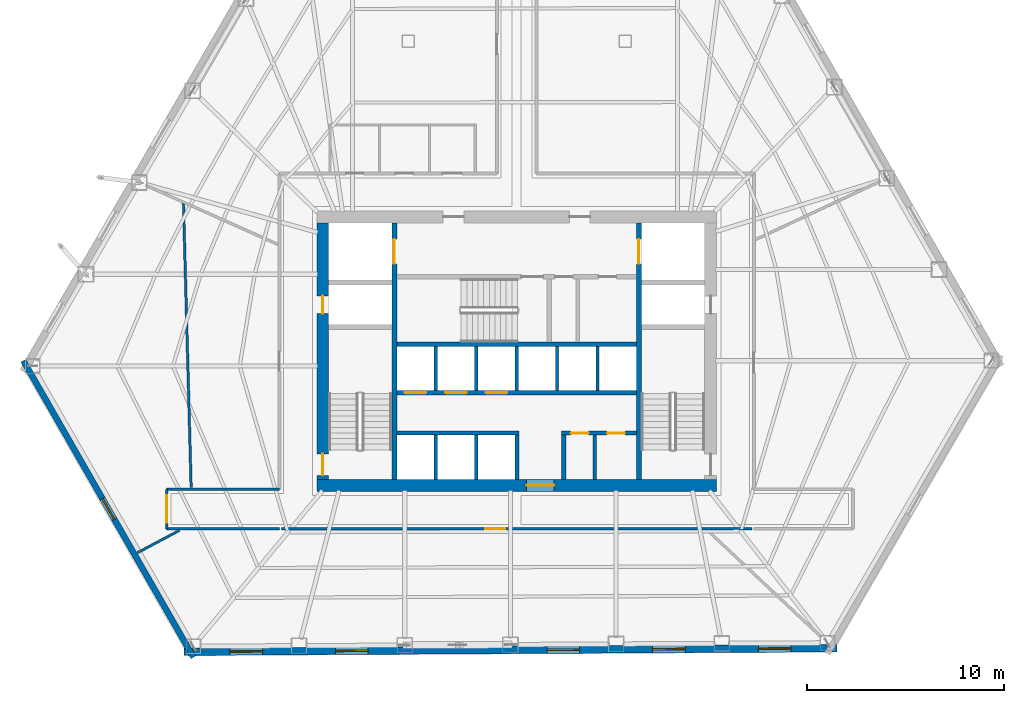
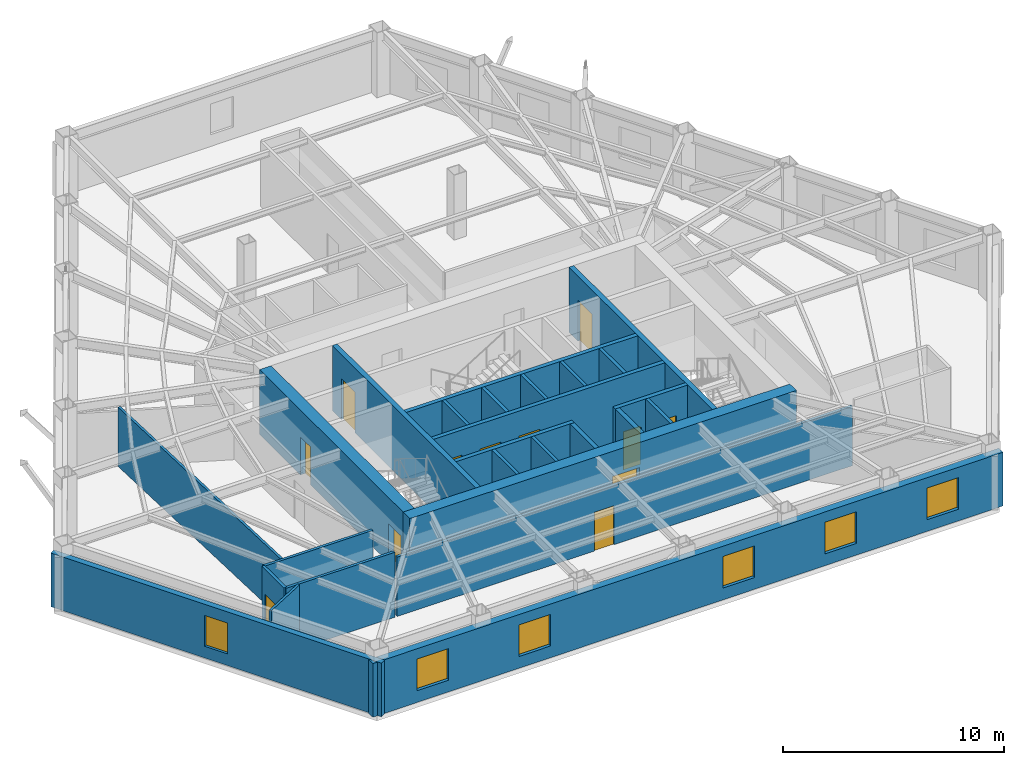
# One storey, part 8 of 12: 26 walls, 12 doors, 6 windows, 18 openings.
"""IFC4 building model written with IfcOpenShell, lengths in metres."""

from ifc_helpers import new_model, si_unit, direction, frame, frame_2d, origin, place, context, subcontext, project, spatial, rectangle, extrude, material, layer, layer_set, type_object, element, fill, save


model = new_model("IFC4")

# Units and contexts
model_context = context("Model", 3, precision=1e-05, world=origin(), true_north=direction((0.0, 1.0)))
body_context = subcontext(model_context, "Body", "Model", "MODEL_VIEW")
ifc_project = project(units=[si_unit("LENGTHUNIT", "METRE"), si_unit("AREAUNIT", "SQUARE_METRE"), si_unit("VOLUMEUNIT", "CUBIC_METRE"), si_unit("PLANEANGLEUNIT", "RADIAN"), si_unit("MASSUNIT", "GRAM", prefix="KILO")], contexts=[model_context])

# Site, building, storey
site_placement = place(None, origin())
site = spatial("IfcSite", under=ifc_project, at=site_placement, CompositionType="ELEMENT")
building_placement = place(site_placement, origin())
building = spatial("IfcBuilding", under=site, at=building_placement, Name="Kavelnor Concourse Tower", CompositionType="ELEMENT")
storey_placement = place(building_placement, frame((0.0, 0.0, 6.0)))
storey = spatial("IfcBuildingStorey", under=building, at=storey_placement, Name="L01", CompositionType="ELEMENT", Elevation=6.0)

# Wall, opening, door
ifc_material_1 = material(Name="Concrete C60/75", Category="concrete")
ifc_layer_1 = layer(ifc_material_1, 0.60009765625, Name="Concrete C60/75")
ifc_layer_set_1 = layer_set([ifc_layer_1], Name="Concrete C60/75")
wall_type_1 = type_object("IfcWallType", Name="WL-CORE-Z1-600", PredefinedType="SOLIDWALL", material=ifc_layer_set_1)
wall_1_placement = place(storey_placement, frame((27.8798828125, 9.300048828125, 0.0), z_axis=(0.0, 0.0, 1.0), x_axis=(1.0, 0.0, 0.0)))
wall_1 = element("IfcWall", 1, at=wall_1_placement, inside=storey, type_object=wall_type_1, Name="L01 Central Core South Shear Wall", PredefinedType="SOLIDWALL", context=body_context, shape_type="SweptSolid", body=[
    extrude(rectangle(XDim=20.240234375, YDim=0.60009765625, at=frame_2d((10.1201171875, 0.0))), origin(), (0.0, 0.0, 1.0), 3.590087890625),
])
opening_1_placement = place(wall_1_placement, frame((10.6201171875, 0.0, 0.0)))
opening_1 = element("IfcOpeningElement", 2, at=opening_1_placement, cuts=wall_1, Name="Opening SD-140", PredefinedType="OPENING", context=body_context, shape_type="SweptSolid", body=[
    extrude(rectangle(XDim=1.39990234375, YDim=2.199951171875, at=frame_2d((0.699951171875, 1.10009765625))), frame((0.0, 0.31005859375, 0.0), z_axis=(0.0, -1.0, 0.0), x_axis=(1.0, 0.0, 0.0)), (0.0, 0.0, 1.0), 0.6201171875),
])
ifc_material_2 = material(Name="Solid-core hardwood timber", Category="wood")
door_type_1 = type_object("IfcDoorType", Name="DR-SUITE-ENTRY-1400", OperationType="NOTDEFINED", PredefinedType="DOOR", material=ifc_material_2)
door_1_placement = place(opening_1_placement, origin())
door_1 = element("IfcDoor", 3, at=door_1_placement, inside=storey, type_object=door_type_1, Name="L01 Passenger Lift Lobby Entry Door", OperationType="SINGLE_SWING_RIGHT", OverallHeight=2.199951171875, OverallWidth=1.39990234375, PredefinedType="DOOR", context=body_context, shape_type="SweptSolid", body=[
    extrude(rectangle(XDim=1.39990234375, YDim=2.199951171875, at=frame_2d((0.699951171875, 1.10009765625))), frame((0.0, 0.02490234375, 0.0), z_axis=(0.0, -1.0, 0.0), x_axis=(1.0, 0.0, 0.0)), (0.0, 0.0, 1.0), 0.050048828125),
])
fill(opening_1, door_1)

# Wall, openings, doors
wall_2_placement = place(storey_placement, frame((28.179931640625, 9.60009765625, 0.0), z_axis=(0.0, 0.0, 1.0), x_axis=(0.0, 1.0, 0.0)))
wall_2 = element("IfcWall", 4, at=wall_2_placement, inside=storey, type_object=wall_type_1, Name="L01 Central Core West Shear Wall", PredefinedType="SOLIDWALL", context=body_context, shape_type="SweptSolid", body=[
    extrude(rectangle(XDim=13.0, YDim=0.60009765625, at=frame_2d((6.5, 0.0))), origin(), (0.0, 0.0, 1.0), 3.590087890625),
])
opening_2_placement = place(wall_2_placement, frame((0.199951171875, 0.0, 0.0)))
opening_2 = element("IfcOpeningElement", 5, at=opening_2_placement, cuts=wall_2, Name="Opening FD-110", PredefinedType="OPENING", context=body_context, shape_type="SweptSolid", body=[
    extrude(rectangle(XDim=1.10009765625, YDim=2.14990234375, at=frame_2d((0.550048828125, 1.074951171875))), frame((0.0, 0.31005859375, 0.0), z_axis=(0.0, -1.0, 0.0), x_axis=(1.0, 0.0, 0.0)), (0.0, 0.0, 1.0), 0.6201171875),
])
opening_3_placement = place(wall_2_placement, frame((8.39990234375, 0.0, 0.0)))
opening_3 = element("IfcOpeningElement", 6, at=opening_3_placement, cuts=wall_2, Name="Opening FD-090", PredefinedType="OPENING", context=body_context, shape_type="SweptSolid", body=[
    extrude(rectangle(XDim=0.89990234375, YDim=2.10009765625, at=frame_2d((0.449951171875, 1.050048828125))), frame((0.0, 0.31005859375, 0.0), z_axis=(0.0, -1.0, 0.0), x_axis=(1.0, 0.0, 0.0)), (0.0, 0.0, 1.0), 0.6201171875),
])
ifc_material_3 = material(Name="Steel Grade 350", Category="steel")
door_type_2 = type_object("IfcDoorType", Name="DR-RISER-FIRE-900", OperationType="NOTDEFINED", PredefinedType="DOOR", material=ifc_material_3)
door_2_placement = place(opening_3_placement, origin())
door_2 = element("IfcDoor", 7, at=door_2_placement, inside=storey, type_object=door_type_2, Name="L01 West Riser Access Door", OperationType="SINGLE_SWING_RIGHT", OverallHeight=2.10009765625, OverallWidth=0.89990234375, PredefinedType="DOOR", context=body_context, shape_type="SweptSolid", body=[
    extrude(rectangle(XDim=0.89990234375, YDim=2.10009765625, at=frame_2d((0.449951171875, 1.050048828125))), frame((0.0, 0.02490234375, 0.0), z_axis=(0.0, -1.0, 0.0), x_axis=(1.0, 0.0, 0.0)), (0.0, 0.0, 1.0), 0.050048828125),
])
fill(opening_3, door_2)
door_type_3 = type_object("IfcDoorType", Name="DR-STAIR-FIRE-1100", OperationType="NOTDEFINED", PredefinedType="DOOR", material=ifc_material_3)
door_3_placement = place(opening_2_placement, origin())
door_3 = element("IfcDoor", 8, at=door_3_placement, inside=storey, type_object=door_type_3, Name="L01 Stair ST1 Fire Door", OperationType="SINGLE_SWING_LEFT", OverallHeight=2.14990234375, OverallWidth=1.10009765625, PredefinedType="DOOR", context=body_context, shape_type="SweptSolid", body=[
    extrude(rectangle(XDim=1.10009765625, YDim=2.14990234375, at=frame_2d((0.550048828125, 1.074951171875))), frame((0.0, 0.02490234375, 0.0), z_axis=(0.0, -1.0, 0.0), x_axis=(1.0, 0.0, 0.0)), (0.0, 0.0, 1.0), 0.050048828125),
])
fill(opening_2, door_3)

# Wall, opening, window
ifc_material_4 = material(Name="Buff ironspot clay face brick masonry", Category="masonry")
ifc_layer_2 = layer(ifc_material_4, 0.300048828125, Name="Buff ironspot clay face brick masonry")
ifc_layer_set_2 = layer_set([ifc_layer_2], Name="Buff ironspot clay face brick masonry")
wall_type_2 = type_object("IfcWallType", Name="WL-EXT-BUFF-BRICK-FOLD-300", PredefinedType="STANDARD", material=ifc_layer_set_2)
wall_3_placement = place(storey_placement, frame((21.629150390625, 0.591796875, 0.0), z_axis=(0.0, 0.0, 1.0), x_axis=(-0.497614882017, 0.867398080004, 0.0)))
wall_3 = element("IfcWall", 9, at=wall_3_placement, inside=storey, type_object=wall_type_2, Name="L01 Exterior Brick Facade Wall E2", PredefinedType="STANDARD", context=body_context, shape_type="SweptSolid", body=[
    extrude(rectangle(XDim=17.32421875, YDim=0.300048828125, at=frame_2d((8.662109375, 0.0))), origin(), (0.0, 0.0, 1.0), 2.969970703125),
])
opening_4_placement = place(wall_3_placement, frame((8.06201171875, 0.0, 0.64990234375)))
opening_4 = element("IfcOpeningElement", 10, at=opening_4_placement, cuts=wall_3, Name="Opening W-05", PredefinedType="OPENING", context=body_context, shape_type="SweptSolid", body=[
    extrude(rectangle(XDim=1.199951171875, YDim=1.699951171875, at=frame_2d((0.60009765625, 0.85009765625))), frame((0.0, 0.16015625, 0.0), z_axis=(0.0, -1.0, 0.0), x_axis=(1.0, 0.0, 0.0)), (0.0, 0.0, 1.0), 0.320068359375),
])
ifc_material_5 = material(Name="Double low-E argon insulated glazing", Category="glass")
window_type_1 = type_object("IfcWindowType", Name="WIN-FOLD-1200", PartitioningType="SINGLE_PANEL", PredefinedType="WINDOW", material=ifc_material_5)
window_1_placement = place(opening_4_placement, origin())
window_1 = element("IfcWindow", 11, at=window_1_placement, inside=storey, type_object=window_type_1, Name="L01 Chamfer-Fold Facet Window C1", OverallHeight=1.699951171875, OverallWidth=1.199951171875, PartitioningType="SINGLE_PANEL", PredefinedType="WINDOW", context=body_context, shape_type="SweptSolid", body=[
    extrude(rectangle(XDim=1.199951171875, YDim=1.699951171875, at=frame_2d((0.60009765625, 0.85009765625))), frame((0.0, 0.030029296875, 0.0), z_axis=(0.0, -1.0, 0.0), x_axis=(1.0, 0.0, 0.0)), (0.0, 0.0, 1.0), 0.06005859375),
])
fill(opening_4, window_1)

# Wall, openings, windows
ifc_material_6 = material(Name="Red-ochre clay face brick masonry", Category="masonry")
ifc_layer_3 = layer(ifc_material_6, 0.3798828125, Name="Red-ochre clay face brick masonry")
ifc_layer_set_3 = layer_set([ifc_layer_3], Name="Red-ochre clay face brick masonry")
wall_type_3 = type_object("IfcWallType", Name="WL-EXT-RED-BRICK-PIER-380", PredefinedType="STANDARD", material=ifc_layer_set_3)
wall_4_placement = place(storey_placement, frame((54.221435546875, 1.05029296875, 0.0), z_axis=(0.0, 0.0, 1.0), x_axis=(-0.999985122688, -0.005454759556, 0.0)))
wall_4 = element("IfcWall", 12, at=wall_4_placement, inside=storey, type_object=wall_type_3, Name="L01 Exterior Brick Facade Wall E3", PredefinedType="STANDARD", context=body_context, shape_type="SweptSolid", body=[
    extrude(rectangle(XDim=33.07568359375, YDim=0.3798828125, at=frame_2d((16.537841796875, 0.0))), origin(), (0.0, 0.0, 1.0), 2.969970703125),
])
opening_5_placement = place(wall_4_placement, frame((29.09423828125, 0.0, 0.64990234375)))
opening_5 = element("IfcOpeningElement", 13, at=opening_5_placement, cuts=wall_4, Name="Opening W-01", PredefinedType="OPENING", context=body_context, shape_type="SweptSolid", body=[
    extrude(rectangle(XDim=1.64990234375, YDim=1.75, at=frame_2d((0.824951171875, 0.875))), frame((0.0, 0.199951171875, 0.0), z_axis=(0.0, -1.0, 0.0), x_axis=(1.0, 0.0, 0.0)), (0.0, 0.0, 1.0), 0.39990234375),
])
opening_6_placement = place(wall_4_placement, frame((23.740478515625, 0.0, 0.64990234375)))
opening_6 = element("IfcOpeningElement", 14, at=opening_6_placement, cuts=wall_4, Name="Opening W-01", PredefinedType="OPENING", context=body_context, shape_type="SweptSolid", body=[
    extrude(rectangle(XDim=1.64990234375, YDim=1.75, at=frame_2d((0.824951171875, 0.875))), frame((0.0, 0.199951171875, 0.0), z_axis=(0.0, -1.0, 0.0), x_axis=(1.0, 0.0, 0.0)), (0.0, 0.0, 1.0), 0.39990234375),
])
opening_7_placement = place(wall_4_placement, frame((13.033447265625, 0.0, 0.64990234375)))
opening_7 = element("IfcOpeningElement", 15, at=opening_7_placement, cuts=wall_4, Name="Opening W-01", PredefinedType="OPENING", context=body_context, shape_type="SweptSolid", body=[
    extrude(rectangle(XDim=1.64990234375, YDim=1.75, at=frame_2d((0.824951171875, 0.875))), frame((0.0, 0.199951171875, 0.0), z_axis=(0.0, -1.0, 0.0), x_axis=(1.0, 0.0, 0.0)), (0.0, 0.0, 1.0), 0.39990234375),
])
opening_8_placement = place(wall_4_placement, frame((7.679931640625, 0.0, 0.64990234375)))
opening_8 = element("IfcOpeningElement", 16, at=opening_8_placement, cuts=wall_4, Name="Opening W-01", PredefinedType="OPENING", context=body_context, shape_type="SweptSolid", body=[
    extrude(rectangle(XDim=1.64990234375, YDim=1.75, at=frame_2d((0.824951171875, 0.875))), frame((0.0, 0.199951171875, 0.0), z_axis=(0.0, -1.0, 0.0), x_axis=(1.0, 0.0, 0.0)), (0.0, 0.0, 1.0), 0.39990234375),
])
opening_9_placement = place(wall_4_placement, frame((2.326416015625, 0.0, 0.64990234375)))
opening_9 = element("IfcOpeningElement", 17, at=opening_9_placement, cuts=wall_4, Name="Opening W-01", PredefinedType="OPENING", context=body_context, shape_type="SweptSolid", body=[
    extrude(rectangle(XDim=1.64990234375, YDim=1.75, at=frame_2d((0.824951171875, 0.875))), frame((0.0, 0.199951171875, 0.0), z_axis=(0.0, -1.0, 0.0), x_axis=(1.0, 0.0, 0.0)), (0.0, 0.0, 1.0), 0.39990234375),
])
window_type_2 = type_object("IfcWindowType", Name="WIN-PIER-Z1-1800", PartitioningType="SINGLE_PANEL", PredefinedType="WINDOW", material=ifc_material_5)
window_2_placement = place(opening_5_placement, origin())
window_2 = element("IfcWindow", 18, at=window_2_placement, inside=storey, type_object=window_type_2, Name="L01 Deep-Set Brick Pier Window F1-B0", OverallHeight=1.75, OverallWidth=1.64990234375, PartitioningType="SINGLE_PANEL", PredefinedType="WINDOW", context=body_context, shape_type="SweptSolid", body=[
    extrude(rectangle(XDim=1.64990234375, YDim=1.75, at=frame_2d((0.824951171875, 0.875))), frame((0.0, 0.030029296875, 0.0), z_axis=(0.0, -1.0, 0.0), x_axis=(1.0, 0.0, 0.0)), (0.0, 0.0, 1.0), 0.06005859375),
])
fill(opening_5, window_2)
window_3_placement = place(opening_6_placement, origin())
window_3 = element("IfcWindow", 19, at=window_3_placement, inside=storey, type_object=window_type_2, Name="L01 Deep-Set Brick Pier Window F1-B1", OverallHeight=1.75, OverallWidth=1.64990234375, PartitioningType="SINGLE_PANEL", PredefinedType="WINDOW", context=body_context, shape_type="SweptSolid", body=[
    extrude(rectangle(XDim=1.64990234375, YDim=1.75, at=frame_2d((0.824951171875, 0.875))), frame((0.0, 0.030029296875, 0.0), z_axis=(0.0, -1.0, 0.0), x_axis=(1.0, 0.0, 0.0)), (0.0, 0.0, 1.0), 0.06005859375),
])
fill(opening_6, window_3)
window_4_placement = place(opening_7_placement, origin())
window_4 = element("IfcWindow", 20, at=window_4_placement, inside=storey, type_object=window_type_2, Name="L01 Deep-Set Brick Pier Window F1-B3", OverallHeight=1.75, OverallWidth=1.64990234375, PartitioningType="SINGLE_PANEL", PredefinedType="WINDOW", context=body_context, shape_type="SweptSolid", body=[
    extrude(rectangle(XDim=1.64990234375, YDim=1.75, at=frame_2d((0.824951171875, 0.875))), frame((0.0, 0.030029296875, 0.0), z_axis=(0.0, -1.0, 0.0), x_axis=(1.0, 0.0, 0.0)), (0.0, 0.0, 1.0), 0.06005859375),
])
fill(opening_7, window_4)
window_5_placement = place(opening_8_placement, origin())
window_5 = element("IfcWindow", 21, at=window_5_placement, inside=storey, type_object=window_type_2, Name="L01 Deep-Set Brick Pier Window F1-B4", OverallHeight=1.75, OverallWidth=1.64990234375, PartitioningType="SINGLE_PANEL", PredefinedType="WINDOW", context=body_context, shape_type="SweptSolid", body=[
    extrude(rectangle(XDim=1.64990234375, YDim=1.75, at=frame_2d((0.824951171875, 0.875))), frame((0.0, 0.030029296875, 0.0), z_axis=(0.0, -1.0, 0.0), x_axis=(1.0, 0.0, 0.0)), (0.0, 0.0, 1.0), 0.06005859375),
])
fill(opening_8, window_5)
window_6_placement = place(opening_9_placement, origin())
window_6 = element("IfcWindow", 22, at=window_6_placement, inside=storey, type_object=window_type_2, Name="L01 Deep-Set Brick Pier Window F1-B5", OverallHeight=1.75, OverallWidth=1.64990234375, PartitioningType="SINGLE_PANEL", PredefinedType="WINDOW", context=body_context, shape_type="SweptSolid", body=[
    extrude(rectangle(XDim=1.64990234375, YDim=1.75, at=frame_2d((0.824951171875, 0.875))), frame((0.0, 0.030029296875, 0.0), z_axis=(0.0, -1.0, 0.0), x_axis=(1.0, 0.0, 0.0)), (0.0, 0.0, 1.0), 0.06005859375),
])
fill(opening_9, window_6)

# Wall
ifc_material_7 = material(Name="Gypsum plasterboard on light-gauge steel studs", Category="steel")
ifc_layer_4 = layer(ifc_material_7, 0.14501953125, Name="Gypsum plasterboard on light-gauge steel studs")
ifc_layer_set_4 = layer_set([ifc_layer_4], Name="Gypsum plasterboard on light-gauge steel studs")
wall_type_4 = type_object("IfcWallType", Name="WL-INT-CORR-145", PredefinedType="PARTITIONING", material=ifc_layer_set_4)
wall_5_placement = place(storey_placement, frame((20.27587890625, 9.10009765625, 0.0), z_axis=(0.0, 0.0, 1.0), x_axis=(1.0, 0.0, 0.0)))
element("IfcWall", 23, at=wall_5_placement, inside=storey, type_object=wall_type_4, Name="L01 Corridor Wall WL-L01-CR-01", PredefinedType="PARTITIONING", context=body_context, shape_type="SweptSolid", body=[
    extrude(rectangle(XDim=5.7041015625, YDim=0.14501953125, at=frame_2d((2.85205078125, 0.0))), origin(), (0.0, 0.0, 1.0), 3.590087890625),
])

# Wall, opening, door
wall_6_placement = place(storey_placement, frame((49.919921875, 7.10009765625, 0.0), z_axis=(0.0, 0.0, 1.0), x_axis=(-1.0, 0.0, 0.0)))
wall_6 = element("IfcWall", 24, at=wall_6_placement, inside=storey, type_object=wall_type_4, Name="L01 Corridor Wall WL-L01-CR-12", PredefinedType="PARTITIONING", context=body_context, shape_type="SweptSolid", body=[
    extrude(rectangle(XDim=23.83984375, YDim=0.14501953125, at=frame_2d((11.919921875, 0.0))), origin(), (0.0, 0.0, 1.0), 3.278076171875),
])
opening_10_placement = place(wall_6_placement, frame((12.49609375, 0.0, 0.0)))
opening_10 = element("IfcOpeningElement", 25, at=opening_10_placement, cuts=wall_6, Name="Opening MD-102", PredefinedType="OPENING", context=body_context, shape_type="SweptSolid", body=[
    extrude(rectangle(XDim=1.02001953125, YDim=2.14990234375, at=frame_2d((0.510009765625, 1.074951171875))), frame((0.0, 0.08251953125, 0.0), z_axis=(0.0, -1.0, 0.0), x_axis=(1.0, 0.0, 0.0)), (0.0, 0.0, 1.0), 0.1650390625),
])
ifc_material_8 = material(Name="Acoustic glazed timber frame", Category="wood")
door_type_4 = type_object("IfcDoorType", Name="DR-MEETING-1020", OperationType="NOTDEFINED", PredefinedType="DOOR", material=ifc_material_8)
door_4_placement = place(opening_10_placement, origin())
door_4 = element("IfcDoor", 26, at=door_4_placement, inside=storey, type_object=door_type_4, Name="L01 Client Boardroom 04 Door", OperationType="SINGLE_SWING_RIGHT", OverallHeight=2.14990234375, OverallWidth=1.02001953125, PredefinedType="DOOR", context=body_context, shape_type="SweptSolid", body=[
    extrude(rectangle(XDim=1.02001953125, YDim=2.14990234375, at=frame_2d((0.510009765625, 1.074951171875))), frame((0.0, 0.02490234375, 0.0), z_axis=(0.0, -1.0, 0.0), x_axis=(1.0, 0.0, 0.0)), (0.0, 0.0, 1.0), 0.050048828125),
])
fill(opening_10, door_4)

# Wall
wall_7_placement = place(storey_placement, frame((25.97998046875, 7.10009765625, 0.0), z_axis=(0.0, 0.0, 1.0), x_axis=(-1.0, 0.0, 0.0)))
element("IfcWall", 27, at=wall_7_placement, inside=storey, type_object=wall_type_4, Name="L01 Corridor Wall WL-L01-CR-13", PredefinedType="PARTITIONING", context=body_context, shape_type="SweptSolid", body=[
    extrude(rectangle(XDim=5.7041015625, YDim=0.14501953125, at=frame_2d((2.85205078125, 0.0))), origin(), (0.0, 0.0, 1.0), 3.590087890625),
])

# Wall, opening, door
wall_8_placement = place(storey_placement, frame((20.27587890625, 7.10009765625, 0.0), z_axis=(0.0, 0.0, 1.0), x_axis=(0.0, 1.0, 0.0)))
wall_8 = element("IfcWall", 28, at=wall_8_placement, inside=storey, type_object=wall_type_4, Name="L01 Corridor Wall WL-L01-CR-14", PredefinedType="PARTITIONING", context=body_context, shape_type="SweptSolid", body=[
    extrude(rectangle(XDim=2.0, YDim=0.14501953125, at=frame_2d((1.0, 0.0))), origin(), (0.0, 0.0, 1.0), 3.590087890625),
])
opening_11_placement = place(wall_8_placement, frame((0.300048828125, 0.0, 0.0)))
opening_11 = element("IfcOpeningElement", 29, at=opening_11_placement, cuts=wall_8, Name="Opening SD-140", PredefinedType="OPENING", context=body_context, shape_type="SweptSolid", body=[
    extrude(rectangle(XDim=1.39990234375, YDim=2.199951171875, at=frame_2d((0.699951171875, 1.10009765625))), frame((0.0, 0.08251953125, 0.0), z_axis=(0.0, -1.0, 0.0), x_axis=(1.0, 0.0, 0.0)), (0.0, 0.0, 1.0), 0.1650390625),
])
door_5_placement = place(opening_11_placement, origin())
door_5 = element("IfcDoor", 30, at=door_5_placement, inside=storey, type_object=door_type_1, Name="L01 Workplace Open Office 03 Door", OperationType="SINGLE_SWING_LEFT", OverallHeight=2.199951171875, OverallWidth=1.39990234375, PredefinedType="DOOR", context=body_context, shape_type="SweptSolid", body=[
    extrude(rectangle(XDim=1.39990234375, YDim=2.199951171875, at=frame_2d((0.699951171875, 1.10009765625))), frame((0.0, 0.02490234375, 0.0), z_axis=(0.0, -1.0, 0.0), x_axis=(1.0, 0.0, 0.0)), (0.0, 0.0, 1.0), 0.050048828125),
])
fill(opening_11, door_5)

# Walls
ifc_layer_5 = layer(ifc_material_7, 0.1650390625, Name="Gypsum plasterboard on light-gauge steel studs")
ifc_layer_set_5 = layer_set([ifc_layer_5], Name="Gypsum plasterboard on light-gauge steel studs")
wall_type_5 = type_object("IfcWallType", Name="WL-INT-FIRE-165", PredefinedType="PARTITIONING", material=ifc_layer_set_5)
for number, where, z_axis, x_axis, name in (
    (31, (33.89990234375, 9.60009765625, 0.0), (0.0, 0.0, 1.0), (0.0, 1.0, 0.0), "L01 Lift Shaft Divider LP7"),
    (32, (35.949951171875, 9.60009765625, 0.0), (0.0, 0.0, 1.0), (0.0, 1.0, 0.0), "L01 Lift Shaft Divider LP8"),
    (33, (33.89990234375, 14.10009765625, 0.0), (0.0, 0.0, 1.0), (0.0, 1.0, 0.0), "L01 Lift Shaft Divider LP1"),
    (34, (35.949951171875, 14.10009765625, 0.0), (0.0, 0.0, 1.0), (0.0, 1.0, 0.0), "L01 Lift Shaft Divider LP2"),
    (35, (38.0, 14.10009765625, 0.0), (0.0, 0.0, 1.0), (0.0, 1.0, 0.0), "L01 Lift Shaft Divider LP3"),
    (36, (40.050048828125, 14.10009765625, 0.0), (0.0, 0.0, 1.0), (0.0, 1.0, 0.0), "L01 Lift Shaft Divider LP4"),
    (37, (42.10009765625, 14.10009765625, 0.0), (0.0, 0.0, 1.0), (0.0, 1.0, 0.0), "L01 Lift Shaft Divider LP5"),
    (38, (41.949951171875, 9.60009765625, 0.0), (0.0, 0.0, 1.0), (0.0, 1.0, 0.0), "L01 Core WC Partition"),
):
    element("IfcWall", number, at=place(storey_placement, frame(where, z_axis=z_axis, x_axis=x_axis)), inside=storey, type_object=wall_type_5, Name=name, PredefinedType="PARTITIONING", context=body_context, shape_type="SweptSolid", body=[
        extrude(rectangle(XDim=2.239990234375, YDim=0.1650390625, at=frame_2d((1.1201171875, 0.0))), origin(), (0.0, 0.0, 1.0), 3.590087890625),
    ])
ifc_layer_6 = layer(ifc_material_7, 0.125, Name="Gypsum plasterboard on light-gauge steel studs")
ifc_layer_set_6 = layer_set([ifc_layer_6], Name="Gypsum plasterboard on light-gauge steel studs")
wall_type_6 = type_object("IfcWallType", Name="WL-INT-SUITE-125", PredefinedType="PARTITIONING", material=ifc_layer_set_6)
wall_9_placement = place(storey_placement, frame((20.922119140625, 7.01953125, 0.0), z_axis=(0.0, 0.0, 1.0), x_axis=(-0.882971496937, -0.469426602992, 0.0)))
element("IfcWall", 39, at=wall_9_placement, inside=storey, type_object=wall_type_6, Name="L01 Radial Suite Partition 03", PredefinedType="PARTITIONING", context=body_context, shape_type="SweptSolid", body=[
    extrude(rectangle(XDim=2.41162109375, YDim=0.125, at=frame_2d((1.205810546875, 0.0))), origin(), (0.0, 0.0, 1.0), 3.590087890625),
])
wall_10_placement = place(storey_placement, frame((21.12060546875, 23.626708984375, 0.0), z_axis=(0.0, 0.0, 1.0), x_axis=(0.027114342991, -0.999632338615, 0.0)))
element("IfcWall", 40, at=wall_10_placement, inside=storey, type_object=wall_type_6, Name="L01 Suite Subdivision Partition 02", PredefinedType="PARTITIONING", context=body_context, shape_type="SweptSolid", body=[
    extrude(rectangle(XDim=14.45166015625, YDim=0.125, at=frame_2d((7.225830078125, 0.0))), origin(), (0.0, 0.0, 1.0), 3.278076171875),
])
ifc_material_9 = material(Name="Concrete C50/60", Category="concrete")
ifc_layer_7 = layer(ifc_material_9, 0.219970703125, Name="Concrete C50/60")
ifc_layer_set_7 = layer_set([ifc_layer_7], Name="Concrete C50/60")
wall_type_7 = type_object("IfcWallType", Name="WL-SHAFT-220", PredefinedType="SOLIDWALL", material=ifc_layer_set_7)
wall_11_placement = place(storey_placement, frame((31.93994140625, 16.449951171875, 0.0), z_axis=(0.0, 0.0, 1.0), x_axis=(1.0, 0.0, 0.0)))
element("IfcWall", 41, at=wall_11_placement, inside=storey, type_object=wall_type_7, Name="L01 Stair ST3 South Core Wall", PredefinedType="SOLIDWALL", context=body_context, shape_type="SweptSolid", body=[
    extrude(rectangle(XDim=12.1201171875, YDim=0.219970703125, at=frame_2d((6.06005859375, 0.0))), origin(), (0.0, 0.0, 1.0), 3.590087890625),
])

# Wall, openings, doors
wall_12_placement = place(storey_placement, frame((31.93994140625, 13.989990234375, 0.0), z_axis=(0.0, 0.0, 1.0), x_axis=(1.0, 0.0, 0.0)))
wall_12 = element("IfcWall", 42, at=wall_12_placement, inside=storey, type_object=wall_type_7, Name="L01 North Lift Row Shaft Wall", PredefinedType="SOLIDWALL", context=body_context, shape_type="SweptSolid", body=[
    extrude(rectangle(XDim=12.1201171875, YDim=0.219970703125, at=frame_2d((6.06005859375, 0.0))), origin(), (0.0, 0.0, 1.0), 3.590087890625),
])
opening_12_placement = place(wall_12_placement, frame((0.385009765625, 0.0, 0.0)))
opening_12 = element("IfcOpeningElement", 43, at=opening_12_placement, cuts=wall_12, Name="Opening LD-110", PredefinedType="OPENING", context=body_context, shape_type="SweptSolid", body=[
    extrude(rectangle(XDim=1.10009765625, YDim=2.199951171875, at=frame_2d((0.550048828125, 1.10009765625))), frame((0.0, 0.1201171875, 0.0), z_axis=(0.0, -1.0, 0.0), x_axis=(1.0, 0.0, 0.0)), (0.0, 0.0, 1.0), 0.239990234375),
])
opening_13_placement = place(wall_12_placement, frame((2.43505859375, 0.0, 0.0)))
opening_13 = element("IfcOpeningElement", 44, at=opening_13_placement, cuts=wall_12, Name="Opening LD-110", PredefinedType="OPENING", context=body_context, shape_type="SweptSolid", body=[
    extrude(rectangle(XDim=1.10009765625, YDim=2.199951171875, at=frame_2d((0.550048828125, 1.10009765625))), frame((0.0, 0.1201171875, 0.0), z_axis=(0.0, -1.0, 0.0), x_axis=(1.0, 0.0, 0.0)), (0.0, 0.0, 1.0), 0.239990234375),
])
opening_14_placement = place(wall_12_placement, frame((4.485107421875, 0.0, 0.0)))
opening_14 = element("IfcOpeningElement", 45, at=opening_14_placement, cuts=wall_12, Name="Opening LD-110", PredefinedType="OPENING", context=body_context, shape_type="SweptSolid", body=[
    extrude(rectangle(XDim=1.10009765625, YDim=2.199951171875, at=frame_2d((0.550048828125, 1.10009765625))), frame((0.0, 0.1201171875, 0.0), z_axis=(0.0, -1.0, 0.0), x_axis=(1.0, 0.0, 0.0)), (0.0, 0.0, 1.0), 0.239990234375),
])
door_type_5 = type_object("IfcDoorType", Name="DR-LIFT-SLIDING-1100", OperationType="NOTDEFINED", PredefinedType="DOOR", material=ifc_material_3)
door_6_placement = place(opening_12_placement, origin())
door_6 = element("IfcDoor", 46, at=door_6_placement, inside=storey, type_object=door_type_5, Name="L01 Lift LP1 Landing Door", OperationType="DOUBLE_DOOR_SLIDING", OverallHeight=2.199951171875, OverallWidth=1.10009765625, PredefinedType="DOOR", context=body_context, shape_type="SweptSolid", body=[
    extrude(rectangle(XDim=1.10009765625, YDim=2.199951171875, at=frame_2d((0.550048828125, 1.10009765625))), frame((0.0, 0.02490234375, 0.0), z_axis=(0.0, -1.0, 0.0), x_axis=(1.0, 0.0, 0.0)), (0.0, 0.0, 1.0), 0.050048828125),
])
fill(opening_12, door_6)
door_7_placement = place(opening_13_placement, origin())
door_7 = element("IfcDoor", 47, at=door_7_placement, inside=storey, type_object=door_type_5, Name="L01 Lift LP2 Landing Door", OperationType="DOUBLE_DOOR_SLIDING", OverallHeight=2.199951171875, OverallWidth=1.10009765625, PredefinedType="DOOR", context=body_context, shape_type="SweptSolid", body=[
    extrude(rectangle(XDim=1.10009765625, YDim=2.199951171875, at=frame_2d((0.550048828125, 1.10009765625))), frame((0.0, 0.02490234375, 0.0), z_axis=(0.0, -1.0, 0.0), x_axis=(1.0, 0.0, 0.0)), (0.0, 0.0, 1.0), 0.050048828125),
])
fill(opening_13, door_7)
door_8_placement = place(opening_14_placement, origin())
door_8 = element("IfcDoor", 48, at=door_8_placement, inside=storey, type_object=door_type_5, Name="L01 Lift LP3 Landing Door", OperationType="DOUBLE_DOOR_SLIDING", OverallHeight=2.199951171875, OverallWidth=1.10009765625, PredefinedType="DOOR", context=body_context, shape_type="SweptSolid", body=[
    extrude(rectangle(XDim=1.10009765625, YDim=2.199951171875, at=frame_2d((0.550048828125, 1.10009765625))), frame((0.0, 0.02490234375, 0.0), z_axis=(0.0, -1.0, 0.0), x_axis=(1.0, 0.0, 0.0)), (0.0, 0.0, 1.0), 0.050048828125),
])
fill(opening_14, door_8)

# Wall
wall_13_placement = place(storey_placement, frame((31.93994140625, 11.949951171875, 0.0), z_axis=(0.0, 0.0, 1.0), x_axis=(1.0, 0.0, 0.0)))
element("IfcWall", 49, at=wall_13_placement, inside=storey, type_object=wall_type_7, Name="L01 High-Rise Lift Bank North Wall", PredefinedType="SOLIDWALL", context=body_context, shape_type="SweptSolid", body=[
    extrude(rectangle(XDim=6.18994140625, YDim=0.219970703125, at=frame_2d((3.094970703125, 0.0))), origin(), (0.0, 0.0, 1.0), 3.590087890625),
])

# Wall, openings, doors
wall_14_placement = place(storey_placement, frame((40.280029296875, 11.949951171875, 0.0), z_axis=(0.0, 0.0, 1.0), x_axis=(1.0, 0.0, 0.0)))
wall_14 = element("IfcWall", 50, at=wall_14_placement, inside=storey, type_object=wall_type_7, Name="L01 Core South Support North Wall", PredefinedType="SOLIDWALL", context=body_context, shape_type="SweptSolid", body=[
    extrude(rectangle(XDim=3.780029296875, YDim=0.219970703125, at=frame_2d((1.89013671875, 0.0))), origin(), (0.0, 0.0, 1.0), 3.590087890625),
])
opening_15_placement = place(wall_14_placement, frame((0.469970703125, 0.0, 0.0)))
opening_15 = element("IfcOpeningElement", 51, at=opening_15_placement, cuts=wall_14, Name="Opening FD-090", PredefinedType="OPENING", context=body_context, shape_type="SweptSolid", body=[
    extrude(rectangle(XDim=0.89990234375, YDim=2.10009765625, at=frame_2d((0.449951171875, 1.050048828125))), frame((0.0, 0.1201171875, 0.0), z_axis=(0.0, -1.0, 0.0), x_axis=(1.0, 0.0, 0.0)), (0.0, 0.0, 1.0), 0.239990234375),
])
opening_16_placement = place(wall_14_placement, frame((2.300048828125, 0.0, 0.0)))
opening_16 = element("IfcOpeningElement", 52, at=opening_16_placement, cuts=wall_14, Name="Opening FD-090", PredefinedType="OPENING", context=body_context, shape_type="SweptSolid", body=[
    extrude(rectangle(XDim=0.89990234375, YDim=2.10009765625, at=frame_2d((0.449951171875, 1.050048828125))), frame((0.0, 0.1201171875, 0.0), z_axis=(0.0, -1.0, 0.0), x_axis=(1.0, 0.0, 0.0)), (0.0, 0.0, 1.0), 0.239990234375),
])
door_9_placement = place(opening_15_placement, origin())
door_9 = element("IfcDoor", 53, at=door_9_placement, inside=storey, type_object=door_type_2, Name="L01 Staff WC Door", OperationType="SINGLE_SWING_LEFT", OverallHeight=2.10009765625, OverallWidth=0.89990234375, PredefinedType="DOOR", context=body_context, shape_type="SweptSolid", body=[
    extrude(rectangle(XDim=0.89990234375, YDim=2.10009765625, at=frame_2d((0.449951171875, 1.050048828125))), frame((0.0, 0.02490234375, 0.0), z_axis=(0.0, -1.0, 0.0), x_axis=(1.0, 0.0, 0.0)), (0.0, 0.0, 1.0), 0.050048828125),
])
fill(opening_15, door_9)
door_10_placement = place(opening_16_placement, origin())
door_10 = element("IfcDoor", 54, at=door_10_placement, inside=storey, type_object=door_type_2, Name="L01 Core Comms Door", OperationType="SINGLE_SWING_RIGHT", OverallHeight=2.10009765625, OverallWidth=0.89990234375, PredefinedType="DOOR", context=body_context, shape_type="SweptSolid", body=[
    extrude(rectangle(XDim=0.89990234375, YDim=2.10009765625, at=frame_2d((0.449951171875, 1.050048828125))), frame((0.0, 0.02490234375, 0.0), z_axis=(0.0, -1.0, 0.0), x_axis=(1.0, 0.0, 0.0)), (0.0, 0.0, 1.0), 0.050048828125),
])
fill(opening_16, door_10)

# Walls
for number, where, z_axis, x_axis, name in (
    (55, (38.02001953125, 9.60009765625, 0.0), (0.0, 0.0, 1.0), (0.0, 1.0, 0.0), "L01 Lift Lobby Throat West Wall"),
    (56, (40.389892578125, 9.60009765625, 0.0), (0.0, 0.0, 1.0), (0.0, 1.0, 0.0), "L01 Lift Lobby Throat East Wall"),
):
    element("IfcWall", number, at=place(storey_placement, frame(where, z_axis=z_axis, x_axis=x_axis)), inside=storey, type_object=wall_type_7, Name=name, PredefinedType="SOLIDWALL", context=body_context, shape_type="SweptSolid", body=[
        extrude(rectangle(XDim=2.239990234375, YDim=0.219970703125, at=frame_2d((1.1201171875, 0.0))), origin(), (0.0, 0.0, 1.0), 3.590087890625),
    ])

# Wall, opening, door
ifc_layer_8 = layer(ifc_material_9, 0.260009765625, Name="Concrete C50/60")
ifc_layer_set_8 = layer_set([ifc_layer_8], Name="Concrete C50/60")
wall_type_8 = type_object("IfcWallType", Name="WL-SHAFT-260", PredefinedType="SHEAR", material=ifc_layer_set_8)
wall_15_placement = place(storey_placement, frame((31.81005859375, 9.60009765625, 0.0), z_axis=(0.0, 0.0, 1.0), x_axis=(0.0, 1.0, 0.0)))
wall_15 = element("IfcWall", 57, at=wall_15_placement, inside=storey, type_object=wall_type_8, Name="L01 Core West Wing Shear Wall", PredefinedType="SHEAR", context=body_context, shape_type="SweptSolid", body=[
    extrude(rectangle(XDim=13.0, YDim=0.260009765625, at=frame_2d((6.5, 0.0))), origin(), (0.0, 0.0, 1.0), 3.590087890625),
])
opening_17_placement = place(wall_15_placement, frame((10.925048828125, 0.0, 0.0)))
opening_17 = element("IfcOpeningElement", 58, at=opening_17_placement, cuts=wall_15, Name="Opening LD-125", PredefinedType="OPENING", context=body_context, shape_type="SweptSolid", body=[
    extrude(rectangle(XDim=1.25, YDim=2.25, at=frame_2d((0.625, 1.125))), frame((0.0, 0.14013671875, 0.0), z_axis=(0.0, -1.0, 0.0), x_axis=(1.0, 0.0, 0.0)), (0.0, 0.0, 1.0), 0.280029296875),
])
door_type_6 = type_object("IfcDoorType", Name="DR-LIFT-SLIDING-1250", OperationType="NOTDEFINED", PredefinedType="DOOR", material=ifc_material_3)
door_11_placement = place(opening_17_placement, origin())
door_11 = element("IfcDoor", 59, at=door_11_placement, inside=storey, type_object=door_type_6, Name="L01 Emergency Lift FL1 Landing Door", OperationType="DOUBLE_DOOR_SLIDING", OverallHeight=2.25, OverallWidth=1.25, PredefinedType="DOOR", context=body_context, shape_type="SweptSolid", body=[
    extrude(rectangle(XDim=1.25, YDim=2.25, at=frame_2d((0.625, 1.125))), frame((0.0, 0.02490234375, 0.0), z_axis=(0.0, -1.0, 0.0), x_axis=(1.0, 0.0, 0.0)), (0.0, 0.0, 1.0), 0.050048828125),
])
fill(opening_17, door_11)

wall_16_placement = place(storey_placement, frame((44.18994140625, 9.60009765625, 0.0), z_axis=(0.0, 0.0, 1.0), x_axis=(0.0, 1.0, 0.0)))
wall_16 = element("IfcWall", 60, at=wall_16_placement, inside=storey, type_object=wall_type_8, Name="L01 Core East Wing Shear Wall", PredefinedType="SHEAR", context=body_context, shape_type="SweptSolid", body=[
    extrude(rectangle(XDim=13.0, YDim=0.260009765625, at=frame_2d((6.5, 0.0))), origin(), (0.0, 0.0, 1.0), 3.590087890625),
])
opening_18_placement = place(wall_16_placement, frame((10.925048828125, 0.0, 0.0)))
opening_18 = element("IfcOpeningElement", 61, at=opening_18_placement, cuts=wall_16, Name="Opening LD-125", PredefinedType="OPENING", context=body_context, shape_type="SweptSolid", body=[
    extrude(rectangle(XDim=1.25, YDim=2.25, at=frame_2d((0.625, 1.125))), frame((0.0, 0.14013671875, 0.0), z_axis=(0.0, -1.0, 0.0), x_axis=(1.0, 0.0, 0.0)), (0.0, 0.0, 1.0), 0.280029296875),
])
door_12_placement = place(opening_18_placement, origin())
door_12 = element("IfcDoor", 62, at=door_12_placement, inside=storey, type_object=door_type_6, Name="L01 Emergency Lift FL2 Landing Door", OperationType="DOUBLE_DOOR_SLIDING", OverallHeight=2.25, OverallWidth=1.25, PredefinedType="DOOR", context=body_context, shape_type="SweptSolid", body=[
    extrude(rectangle(XDim=1.25, YDim=2.25, at=frame_2d((0.625, 1.125))), frame((0.0, 0.02490234375, 0.0), z_axis=(0.0, -1.0, 0.0), x_axis=(1.0, 0.0, 0.0)), (0.0, 0.0, 1.0), 0.050048828125),
])
fill(opening_18, door_12)

save(model, "model.ifc")
